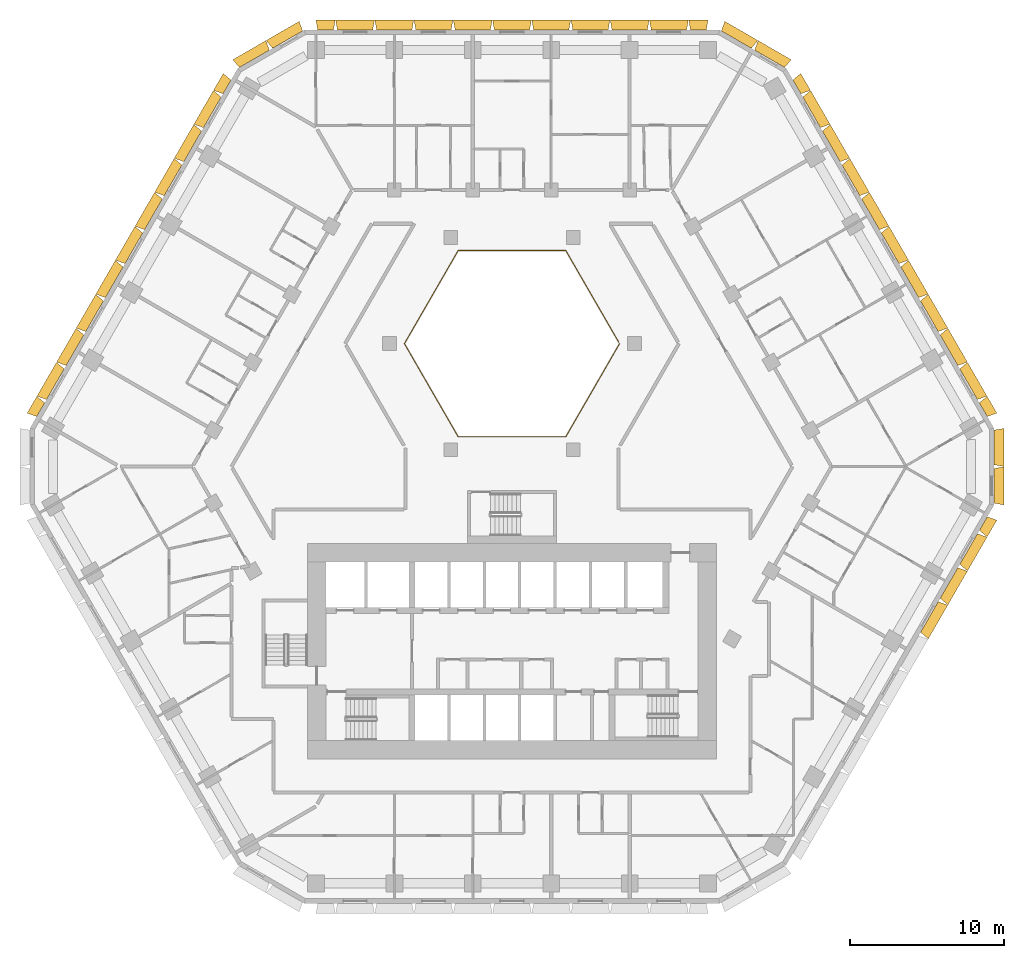
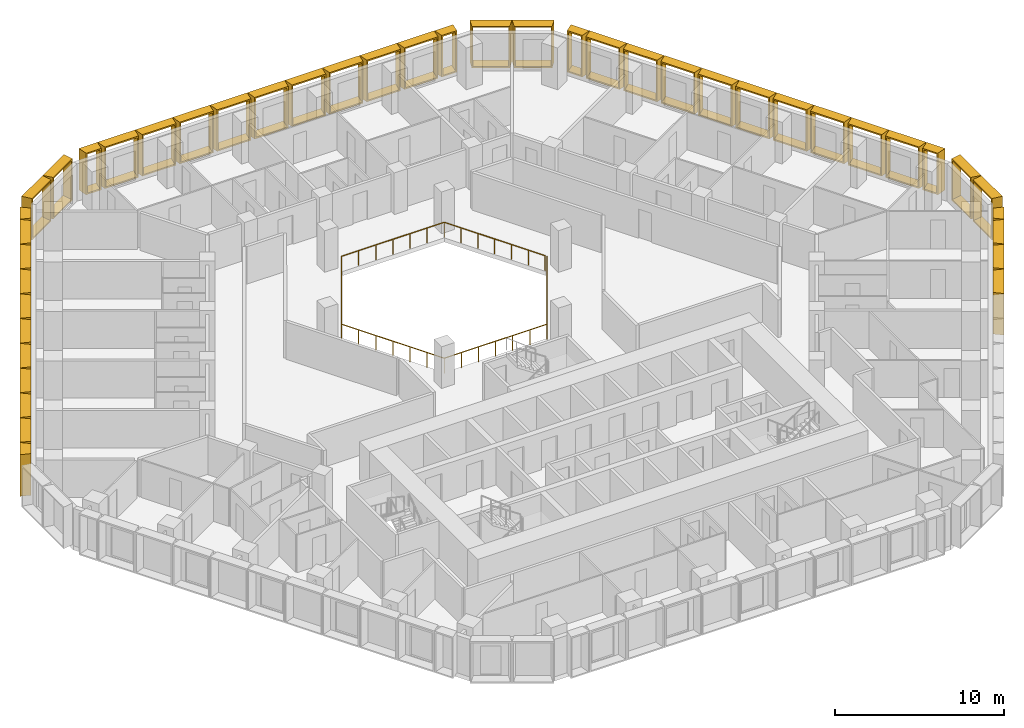
# One storey, part 16 of 16: 43 shading devices, 1 railing.
"""IFC4 building model written with IfcOpenShell, lengths in metres."""

from ifc_helpers import new_model, entity, si_unit, direction, frame, origin, origin_2d, place, context, subcontext, project, spatial, rectangle, extrude, source, transform, mapped, material, type_object, type_shapes, element, save


model = new_model("IFC4")

# Units and contexts
model_context = context("Model", 3, precision=1e-05, world=origin(), true_north=direction((0.0, 1.0)))
body_context = subcontext(model_context, "Body", "Model", "MODEL_VIEW")
ifc_project = project(units=[si_unit("LENGTHUNIT", "METRE"), si_unit("AREAUNIT", "SQUARE_METRE"), si_unit("VOLUMEUNIT", "CUBIC_METRE"), si_unit("PLANEANGLEUNIT", "RADIAN"), si_unit("MASSUNIT", "GRAM", prefix="KILO")], contexts=[model_context])

# Site, building, storey
site_placement = place(None, origin())
site = spatial("IfcSite", under=ifc_project, at=site_placement, CompositionType="ELEMENT")
building_placement = place(site_placement, origin())
building = spatial("IfcBuilding", under=site, at=building_placement, Name="Beryl Residences", CompositionType="ELEMENT")
storey_placement = place(building_placement, frame((0.0, 0.0, 32.39990234375)))
storey = spatial("IfcBuildingStorey", under=building, at=storey_placement, Name="L09", CompositionType="ELEMENT", Elevation=32.39990234375)

# Railing
ifc_material_1 = material(Name="Stainless steel balustrade with glass infill", Category="steel")
railing_type = type_object("IfcRailingType", Name="EG1 edge guard 1100 mm", PredefinedType="GUARDRAIL", material=ifc_material_1)
railing_placement = place(storey_placement, frame((6.9970703125, 8.0, 0.0)))
element("IfcRailing", 1, at=railing_placement, inside=storey, type_object=railing_type, Name="L09 atrium guard", PredefinedType="GUARDRAIL", context=body_context, shape_type="SweptSolid", body=[
    extrude(rectangle(XDim=0.048095703125, YDim=0.048095703125, at=origin_2d()), frame((0.0, 0.0, 1.076171875), z_axis=(-0.499921796684, -0.866070549782, 0.0), x_axis=(0.866070549782, -0.499921796684, 0.0)), (0.0, 0.0, 1.0), 6.9970703125),
    extrude(rectangle(XDim=0.048095703125, YDim=0.048095703125, at=origin_2d()), frame((-3.498046875, -6.06005859375, 1.076171875), z_axis=(-1.0, 0.0, 0.0), x_axis=(0.0, -1.0, 0.0)), (0.0, 0.0, 1.0), 6.998046875),
    extrude(rectangle(XDim=0.048095703125, YDim=0.048095703125, at=origin_2d()), frame((-10.49609375, -6.06005859375, 1.076171875), z_axis=(-0.499921796684, 0.866070549782, 0.0), x_axis=(-0.866070549782, -0.499921796684, 0.0)), (0.0, 0.0, 1.0), 6.9970703125),
    extrude(rectangle(XDim=0.048095703125, YDim=0.048095703125, at=origin_2d()), frame((-13.994140625, 0.0, 1.076171875), z_axis=(0.499921796684, 0.866070549782, 0.0), x_axis=(-0.866070549782, 0.499921796684, 0.0)), (0.0, 0.0, 1.0), 6.9970703125),
    extrude(rectangle(XDim=0.048095703125, YDim=0.048095703125, at=origin_2d()), frame((-10.49609375, 6.06005859375, 1.076171875), z_axis=(1.0, 0.0, 0.0), x_axis=(0.0, 1.0, 0.0)), (0.0, 0.0, 1.0), 6.998046875),
    extrude(rectangle(XDim=0.048095703125, YDim=0.048095703125, at=origin_2d()), frame((-3.498046875, 6.06005859375, 1.076171875), z_axis=(0.499919131929, -0.866072087953, 0.0), x_axis=(0.866072087953, 0.499919131929, 0.0)), (0.0, 0.0, 1.0), 6.877197265625),
    extrude(rectangle(XDim=0.0419921875, YDim=0.0419921875, at=origin_2d()), origin(), (0.0, 0.0, 1.0), 1.052001953125),
    extrude(rectangle(XDim=0.0419921875, YDim=0.0419921875, at=origin_2d()), frame((-0.5830078125, -1.010009765625, 0.0)), (0.0, 0.0, 1.0), 1.052001953125),
    extrude(rectangle(XDim=0.0419921875, YDim=0.0419921875, at=origin_2d()), frame((-1.166015625, -2.02001953125, 0.0)), (0.0, 0.0, 1.0), 1.052001953125),
    extrude(rectangle(XDim=0.0419921875, YDim=0.0419921875, at=origin_2d()), frame((-1.7490234375, -3.030029296875, 0.0)), (0.0, 0.0, 1.0), 1.052001953125),
    extrude(rectangle(XDim=0.0419921875, YDim=0.0419921875, at=origin_2d()), frame((-2.33203125, -4.0400390625, 0.0)), (0.0, 0.0, 1.0), 1.052001953125),
    extrude(rectangle(XDim=0.0419921875, YDim=0.0419921875, at=origin_2d()), frame((-2.9150390625, -5.050048828125, 0.0)), (0.0, 0.0, 1.0), 1.052001953125),
    extrude(rectangle(XDim=0.0419921875, YDim=0.0419921875, at=origin_2d()), frame((-3.498046875, -6.06005859375, 0.0)), (0.0, 0.0, 1.0), 1.052001953125),
    extrude(rectangle(XDim=0.0419921875, YDim=0.0419921875, at=origin_2d()), frame((-4.664306640625, -6.06005859375, 0.0)), (0.0, 0.0, 1.0), 1.052001953125),
    extrude(rectangle(XDim=0.0419921875, YDim=0.0419921875, at=origin_2d()), frame((-5.830810546875, -6.06005859375, 0.0)), (0.0, 0.0, 1.0), 1.052001953125),
    extrude(rectangle(XDim=0.0419921875, YDim=0.0419921875, at=origin_2d()), frame((-6.9970703125, -6.06005859375, 0.0)), (0.0, 0.0, 1.0), 1.052001953125),
    extrude(rectangle(XDim=0.0419921875, YDim=0.0419921875, at=origin_2d()), frame((-8.163330078125, -6.06005859375, 0.0)), (0.0, 0.0, 1.0), 1.052001953125),
    extrude(rectangle(XDim=0.0419921875, YDim=0.0419921875, at=origin_2d()), frame((-9.329833984375, -6.06005859375, 0.0)), (0.0, 0.0, 1.0), 1.052001953125),
    extrude(rectangle(XDim=0.0419921875, YDim=0.0419921875, at=origin_2d()), frame((-10.49609375, -6.06005859375, 0.0)), (0.0, 0.0, 1.0), 1.052001953125),
    extrude(rectangle(XDim=0.0419921875, YDim=0.0419921875, at=origin_2d()), frame((-11.0791015625, -5.050048828125, 0.0)), (0.0, 0.0, 1.0), 1.052001953125),
    extrude(rectangle(XDim=0.0419921875, YDim=0.0419921875, at=origin_2d()), frame((-11.662109375, -4.0400390625, 0.0)), (0.0, 0.0, 1.0), 1.052001953125),
    extrude(rectangle(XDim=0.0419921875, YDim=0.0419921875, at=origin_2d()), frame((-12.2451171875, -3.030029296875, 0.0)), (0.0, 0.0, 1.0), 1.052001953125),
    extrude(rectangle(XDim=0.0419921875, YDim=0.0419921875, at=origin_2d()), frame((-12.828125, -2.02001953125, 0.0)), (0.0, 0.0, 1.0), 1.052001953125),
    extrude(rectangle(XDim=0.0419921875, YDim=0.0419921875, at=origin_2d()), frame((-13.4111328125, -1.010009765625, 0.0)), (0.0, 0.0, 1.0), 1.052001953125),
    extrude(rectangle(XDim=0.0419921875, YDim=0.0419921875, at=origin_2d()), frame((-13.994140625, 0.0, 0.0)), (0.0, 0.0, 1.0), 1.052001953125),
    extrude(rectangle(XDim=0.0419921875, YDim=0.0419921875, at=origin_2d()), frame((-13.4111328125, 1.010009765625, 0.0)), (0.0, 0.0, 1.0), 1.052001953125),
    extrude(rectangle(XDim=0.0419921875, YDim=0.0419921875, at=origin_2d()), frame((-12.828125, 2.02001953125, 0.0)), (0.0, 0.0, 1.0), 1.052001953125),
    extrude(rectangle(XDim=0.0419921875, YDim=0.0419921875, at=origin_2d()), frame((-12.2451171875, 3.030029296875, 0.0)), (0.0, 0.0, 1.0), 1.052001953125),
    extrude(rectangle(XDim=0.0419921875, YDim=0.0419921875, at=origin_2d()), frame((-11.662109375, 4.0400390625, 0.0)), (0.0, 0.0, 1.0), 1.052001953125),
    extrude(rectangle(XDim=0.0419921875, YDim=0.0419921875, at=origin_2d()), frame((-11.0791015625, 5.050048828125, 0.0)), (0.0, 0.0, 1.0), 1.052001953125),
    extrude(rectangle(XDim=0.0419921875, YDim=0.0419921875, at=origin_2d()), frame((-10.49609375, 6.06005859375, 0.0)), (0.0, 0.0, 1.0), 1.052001953125),
    extrude(rectangle(XDim=0.0419921875, YDim=0.0419921875, at=origin_2d()), frame((-9.329833984375, 6.06005859375, 0.0)), (0.0, 0.0, 1.0), 1.052001953125),
    extrude(rectangle(XDim=0.0419921875, YDim=0.0419921875, at=origin_2d()), frame((-8.163330078125, 6.06005859375, 0.0)), (0.0, 0.0, 1.0), 1.052001953125),
    extrude(rectangle(XDim=0.0419921875, YDim=0.0419921875, at=origin_2d()), frame((-6.9970703125, 6.06005859375, 0.0)), (0.0, 0.0, 1.0), 1.052001953125),
    extrude(rectangle(XDim=0.0419921875, YDim=0.0419921875, at=origin_2d()), frame((-5.830810546875, 6.06005859375, 0.0)), (0.0, 0.0, 1.0), 1.052001953125),
    extrude(rectangle(XDim=0.0419921875, YDim=0.0419921875, at=origin_2d()), frame((-4.664306640625, 6.06005859375, 0.0)), (0.0, 0.0, 1.0), 1.052001953125),
    extrude(rectangle(XDim=0.0419921875, YDim=0.0419921875, at=origin_2d()), frame((-3.498046875, 6.06005859375, 0.0)), (0.0, 0.0, 1.0), 1.052001953125),
    extrude(rectangle(XDim=0.0419921875, YDim=0.0419921875, at=origin_2d()), frame((-2.925048828125, 5.0673828125, 0.0)), (0.0, 0.0, 1.0), 1.052001953125),
    extrude(rectangle(XDim=0.0419921875, YDim=0.0419921875, at=origin_2d()), frame((-2.35205078125, 4.07470703125, 0.0)), (0.0, 0.0, 1.0), 1.052001953125),
    extrude(rectangle(XDim=0.0419921875, YDim=0.0419921875, at=origin_2d()), frame((-1.779052734375, 3.08203125, 0.0)), (0.0, 0.0, 1.0), 1.052001953125),
    extrude(rectangle(XDim=0.0419921875, YDim=0.0419921875, at=origin_2d()), frame((-1.2060546875, 2.08935546875, 0.0)), (0.0, 0.0, 1.0), 1.052001953125),
    extrude(rectangle(XDim=0.0419921875, YDim=0.0419921875, at=origin_2d()), frame((-0.633056640625, 1.0966796875, 0.0)), (0.0, 0.0, 1.0), 1.052001953125),
    extrude(rectangle(XDim=0.0419921875, YDim=0.0419921875, at=origin_2d()), frame((-0.06005859375, 0.10400390625, 0.0)), (0.0, 0.0, 1.0), 1.052001953125),
])

# Shading devices
ifc_material_2 = material(Name="Aluminium pale anodised", Category="aluminium")
shading_device_type_1 = type_object("IfcShadingDeviceType", Name="FR128-65A OUTER SKIN frame 650 mm deep, splay 10/10 deg, 1280 x 3000 mm cell", PredefinedType="USERDEFINED", material=ifc_material_2)
cartesian_point_1 = entity("IfcCartesianPoint", [-0.514892578125, 0.0])
cartesian_point_2 = entity("IfcCartesianPoint", [-0.433837890625, 0.10009765625])
cartesian_point_3 = entity("IfcCartesianPoint", [-0.629638671875, 0.0])
cartesian_point_4 = entity("IfcCartesianPoint", [-0.54833984375, 0.10009765625])
shared_shape_1 = source(origin(), body_context, "Body", "SweptSolid", [
    entity("IfcExtrudedAreaSolidTapered", entity("IfcArbitraryProfileDefWithVoids", "AREA", None, entity("IfcPolyline", [cartesian_point_1, entity("IfcCartesianPoint", [0.514892578125, 0.0]), entity("IfcCartesianPoint", [0.514892578125, 3.0]), entity("IfcCartesianPoint", [-0.514892578125, 3.0]), cartesian_point_1]), [entity("IfcPolyline", [cartesian_point_2, entity("IfcCartesianPoint", [0.433837890625, 0.10009765625]), entity("IfcCartesianPoint", [0.433837890625, 2.89990234375]), entity("IfcCartesianPoint", [-0.433837890625, 2.89990234375]), cartesian_point_2])]), entity("IfcAxis2Placement3D", entity("IfcCartesianPoint", [0.0, 0.0, 0.0]), entity("IfcDirection", [0.0, 1.0, 0.0]), entity("IfcDirection", [-1.0, 0.0, 0.0])), entity("IfcDirection", [0.0, 0.0, 1.0]), 0.64990234375, entity("IfcArbitraryProfileDefWithVoids", "AREA", None, entity("IfcPolyline", [cartesian_point_3, entity("IfcCartesianPoint", [0.629638671875, 0.0]), entity("IfcCartesianPoint", [0.629638671875, 3.0]), entity("IfcCartesianPoint", [-0.629638671875, 3.0]), cartesian_point_3]), [entity("IfcPolyline", [cartesian_point_4, entity("IfcCartesianPoint", [0.54833984375, 0.10009765625]), entity("IfcCartesianPoint", [0.54833984375, 2.89990234375]), entity("IfcCartesianPoint", [-0.54833984375, 2.89990234375]), cartesian_point_4])])),
])
type_shapes(shading_device_type_1, [shared_shape_1])
for number, where, z_axis, x_axis, name in (
    (2, (12.12109375, 28.39990234375, 0.0), (0.0, 0.0, 1.0), (1.0, 0.0, 0.0), "FR128-65A frame L09 N 1"),
    (3, (-12.123046875, 28.39990234375, 0.0), (0.0, 0.0, 1.0), (1.0, 0.0, 0.0), "FR128-65A frame L09 N 11"),
    (4, (-18.534912109375, 24.697021484375, 0.0), (0.0, 0.0, 1.0), (0.5, 0.866025403784, 0.0), "FR128-65A frame L09 NW 1"),
    (5, (-30.656005859375, 3.700927734375, 0.0), (0.0, 0.0, 1.0), (0.5, 0.866025403784, 0.0), "FR128-65A frame L09 NW 11"),
    (6, (30.656005859375, -3.700927734375, 0.0), (0.0, 0.0, 1.0), (-0.5, -0.866025403784, 0.0), "FR128-65A frame L09 SE 11"),
    (7, (30.655029296875, 3.702880859375, 0.0), (0.0, 0.0, 1.0), (0.5, -0.866025403784, 0.0), "FR128-65A frame L09 NE 1"),
    (8, (18.533935546875, 24.698974609375, 0.0), (0.0, 0.0, 1.0), (0.5, -0.866025403784, 0.0), "FR128-65A frame L09 NE 11"),
):
    element("IfcShadingDevice", number, at=place(storey_placement, frame(where, z_axis=z_axis, x_axis=x_axis)), inside=storey, type_object=shading_device_type_1, Name=name, ObjectType="OUTER SKIN", PredefinedType="USERDEFINED", context=body_context, shape_type="MappedRepresentation", body=[
        mapped(shared_shape_1, transform((0.0, 0.0, 0.0))),
    ])
ifc_material_3 = material(Name="Aluminium pale anodised", Category="aluminium")
shading_device_type_2 = type_object("IfcShadingDeviceType", Name="FR250-65A OUTER SKIN frame 650 mm deep, splay 10/10 deg, 2500 x 3000 mm cell", PredefinedType="USERDEFINED", material=ifc_material_3)
cartesian_point_5 = entity("IfcCartesianPoint", [-1.125, 0.0])
cartesian_point_6 = entity("IfcCartesianPoint", [-1.043701171875, 0.10009765625])
cartesian_point_7 = entity("IfcCartesianPoint", [-1.239501953125, 0.0])
cartesian_point_8 = entity("IfcCartesianPoint", [-1.158447265625, 0.10009765625])
shared_shape_2 = source(origin(), body_context, "Body", "SweptSolid", [
    entity("IfcExtrudedAreaSolidTapered", entity("IfcArbitraryProfileDefWithVoids", "AREA", None, entity("IfcPolyline", [cartesian_point_5, entity("IfcCartesianPoint", [1.125, 0.0]), entity("IfcCartesianPoint", [1.125, 3.0]), entity("IfcCartesianPoint", [-1.125, 3.0]), cartesian_point_5]), [entity("IfcPolyline", [cartesian_point_6, entity("IfcCartesianPoint", [1.043701171875, 0.10009765625]), entity("IfcCartesianPoint", [1.043701171875, 2.89990234375]), entity("IfcCartesianPoint", [-1.043701171875, 2.89990234375]), cartesian_point_6])]), entity("IfcAxis2Placement3D", entity("IfcCartesianPoint", [0.0, 0.0, 0.0]), entity("IfcDirection", [0.0, 1.0, 0.0]), entity("IfcDirection", [-1.0, 0.0, 0.0])), entity("IfcDirection", [0.0, 0.0, 1.0]), 0.64990234375, entity("IfcArbitraryProfileDefWithVoids", "AREA", None, entity("IfcPolyline", [cartesian_point_7, entity("IfcCartesianPoint", [1.239501953125, 0.0]), entity("IfcCartesianPoint", [1.239501953125, 3.0]), entity("IfcCartesianPoint", [-1.239501953125, 3.0]), cartesian_point_7]), [entity("IfcPolyline", [cartesian_point_8, entity("IfcCartesianPoint", [1.158447265625, 0.10009765625]), entity("IfcCartesianPoint", [1.158447265625, 2.89990234375]), entity("IfcCartesianPoint", [-1.158447265625, 2.89990234375]), cartesian_point_8])])),
])
type_shapes(shading_device_type_2, [shared_shape_2])
for number, where, z_axis, x_axis, name in (
    (9, (-14.593017578125, 27.77490234375, 0.0), (0.0, 0.0, 1.0), (0.866025403784, 0.5, 0.0), "FR250-65A frame L09 N-NW 1"),
    (10, (-16.758056640625, 26.52490234375, 0.0), (0.0, 0.0, 1.0), (0.866025403784, 0.5, 0.0), "FR250-65A frame L09 N-NW 2"),
    (11, (31.35009765625, -1.25, 0.0), (0.0, 0.0, 1.0), (0.0, -1.0, 0.0), "FR250-65A frame L09 SE-NE 1"),
    (12, (31.35009765625, 1.25, 0.0), (0.0, 0.0, 1.0), (0.0, -1.0, 0.0), "FR250-65A frame L09 SE-NE 2"),
    (13, (16.758056640625, 26.52490234375, 0.0), (0.0, 0.0, 1.0), (0.866025403784, -0.5, 0.0), "FR250-65A frame L09 NE-N 1"),
    (14, (14.593017578125, 27.77490234375, 0.0), (0.0, 0.0, 1.0), (0.866025403784, -0.5, 0.0), "FR250-65A frame L09 NE-N 2"),
):
    element("IfcShadingDevice", number, at=place(storey_placement, frame(where, z_axis=z_axis, x_axis=x_axis)), inside=storey, type_object=shading_device_type_2, Name=name, ObjectType="OUTER SKIN", PredefinedType="USERDEFINED", context=body_context, shape_type="MappedRepresentation", body=[
        mapped(shared_shape_2, transform((0.0, 0.0, 0.0))),
    ])
ifc_material_4 = material(Name="Aluminium pale anodised", Category="aluminium")
shading_device_type_3 = type_object("IfcShadingDeviceType", Name="FR255-65A OUTER SKIN frame 650 mm deep, splay 10/10 deg, 2550 x 3000 mm cell", PredefinedType="USERDEFINED", material=ifc_material_4)
cartesian_point_9 = entity("IfcCartesianPoint", [-1.14990234375, 0.0])
cartesian_point_10 = entity("IfcCartesianPoint", [-1.06884765625, 0.10009765625])
cartesian_point_11 = entity("IfcCartesianPoint", [-1.2646484375, 0.0])
cartesian_point_12 = entity("IfcCartesianPoint", [-1.183349609375, 0.10009765625])
shared_shape_3 = source(origin(), body_context, "Body", "SweptSolid", [
    entity("IfcExtrudedAreaSolidTapered", entity("IfcArbitraryProfileDefWithVoids", "AREA", None, entity("IfcPolyline", [cartesian_point_9, entity("IfcCartesianPoint", [1.14990234375, 0.0]), entity("IfcCartesianPoint", [1.14990234375, 3.0]), entity("IfcCartesianPoint", [-1.14990234375, 3.0]), cartesian_point_9]), [entity("IfcPolyline", [cartesian_point_10, entity("IfcCartesianPoint", [1.06884765625, 0.10009765625]), entity("IfcCartesianPoint", [1.06884765625, 2.89990234375]), entity("IfcCartesianPoint", [-1.06884765625, 2.89990234375]), cartesian_point_10])]), entity("IfcAxis2Placement3D", entity("IfcCartesianPoint", [0.0, 0.0, 0.0]), entity("IfcDirection", [0.0, 1.0, 0.0]), entity("IfcDirection", [-1.0, 0.0, 0.0])), entity("IfcDirection", [0.0, 0.0, 1.0]), 0.64990234375, entity("IfcArbitraryProfileDefWithVoids", "AREA", None, entity("IfcPolyline", [cartesian_point_11, entity("IfcCartesianPoint", [1.2646484375, 0.0]), entity("IfcCartesianPoint", [1.2646484375, 3.0]), entity("IfcCartesianPoint", [-1.2646484375, 3.0]), cartesian_point_11]), [entity("IfcPolyline", [cartesian_point_12, entity("IfcCartesianPoint", [1.183349609375, 0.10009765625]), entity("IfcCartesianPoint", [1.183349609375, 2.89990234375]), entity("IfcCartesianPoint", [-1.183349609375, 2.89990234375]), cartesian_point_12])])),
])
type_shapes(shading_device_type_3, [shared_shape_3])
for number, where, z_axis, x_axis, name in (
    (15, (10.20703125, 28.39990234375, 0.0), (0.0, 0.0, 1.0), (1.0, 0.0, 0.0), "FR255-65A frame L09 N 2"),
    (16, (7.655029296875, 28.39990234375, 0.0), (0.0, 0.0, 1.0), (1.0, 0.0, 0.0), "FR255-65A frame L09 N 3"),
    (17, (5.10302734375, 28.39990234375, 0.0), (0.0, 0.0, 1.0), (1.0, 0.0, 0.0), "FR255-65A frame L09 N 4"),
    (18, (2.551025390625, 28.39990234375, 0.0), (0.0, 0.0, 1.0), (1.0, 0.0, 0.0), "FR255-65A frame L09 N 5"),
    (19, (-0.0009765625, 28.39990234375, 0.0), (0.0, 0.0, 1.0), (1.0, 0.0, 0.0), "FR255-65A frame L09 N 6"),
    (20, (-2.552978515625, 28.39990234375, 0.0), (0.0, 0.0, 1.0), (1.0, 0.0, 0.0), "FR255-65A frame L09 N 7"),
    (21, (-5.10498046875, 28.39990234375, 0.0), (0.0, 0.0, 1.0), (1.0, 0.0, 0.0), "FR255-65A frame L09 N 8"),
    (22, (-7.656982421875, 28.39990234375, 0.0), (0.0, 0.0, 1.0), (1.0, 0.0, 0.0), "FR255-65A frame L09 N 9"),
    (23, (-10.208984375, 28.39990234375, 0.0), (0.0, 0.0, 1.0), (1.0, 0.0, 0.0), "FR255-65A frame L09 N 10"),
    (24, (-19.491943359375, 23.0400390625, 0.0), (0.0, 0.0, 1.0), (0.5, 0.866025403784, 0.0), "FR255-65A frame L09 NW 2"),
    (25, (-20.76806640625, 20.830078125, 0.0), (0.0, 0.0, 1.0), (0.5, 0.866025403784, 0.0), "FR255-65A frame L09 NW 3"),
    (26, (-22.0439453125, 18.618896484375, 0.0), (0.0, 0.0, 1.0), (0.5, 0.866025403784, 0.0), "FR255-65A frame L09 NW 4"),
    (27, (-23.320068359375, 16.408935546875, 0.0), (0.0, 0.0, 1.0), (0.5, 0.866025403784, 0.0), "FR255-65A frame L09 NW 5"),
    (28, (-24.594970703125, 14.198974609375, 0.0), (0.0, 0.0, 1.0), (0.5, 0.866025403784, 0.0), "FR255-65A frame L09 NW 6"),
    (29, (-25.87109375, 11.989013671875, 0.0), (0.0, 0.0, 1.0), (0.5, 0.866025403784, 0.0), "FR255-65A frame L09 NW 7"),
    (30, (-27.14697265625, 9.779052734375, 0.0), (0.0, 0.0, 1.0), (0.5, 0.866025403784, 0.0), "FR255-65A frame L09 NW 8"),
    (31, (-28.423095703125, 7.569091796875, 0.0), (0.0, 0.0, 1.0), (0.5, 0.866025403784, 0.0), "FR255-65A frame L09 NW 9"),
    (32, (-29.698974609375, 5.35888671875, 0.0), (0.0, 0.0, 1.0), (0.5, 0.866025403784, 0.0), "FR255-65A frame L09 NW 10"),
    (33, (27.14697265625, -9.779052734375, 0.0), (0.0, 0.0, 1.0), (-0.5, -0.866025403784, 0.0), "FR255-65A frame L09 SE 8"),
    (34, (28.423095703125, -7.569091796875, 0.0), (0.0, 0.0, 1.0), (-0.5, -0.866025403784, 0.0), "FR255-65A frame L09 SE 9"),
    (35, (29.698974609375, -5.35888671875, 0.0), (0.0, 0.0, 1.0), (-0.5, -0.866025403784, 0.0), "FR255-65A frame L09 SE 10"),
    (36, (29.697998046875, 5.360107421875, 0.0), (0.0, 0.0, 1.0), (0.5, -0.866025403784, 0.0), "FR255-65A frame L09 NE 2"),
    (37, (28.422119140625, 7.570068359375, 0.0), (0.0, 0.0, 1.0), (0.5, -0.866025403784, 0.0), "FR255-65A frame L09 NE 3"),
    (38, (27.14599609375, 9.781005859375, 0.0), (0.0, 0.0, 1.0), (0.5, -0.866025403784, 0.0), "FR255-65A frame L09 NE 4"),
    (39, (25.8701171875, 11.990966796875, 0.0), (0.0, 0.0, 1.0), (0.5, -0.866025403784, 0.0), "FR255-65A frame L09 NE 5"),
    (40, (24.594970703125, 14.200927734375, 0.0), (0.0, 0.0, 1.0), (0.5, -0.866025403784, 0.0), "FR255-65A frame L09 NE 6"),
    (41, (23.319091796875, 16.410888671875, 0.0), (0.0, 0.0, 1.0), (0.5, -0.866025403784, 0.0), "FR255-65A frame L09 NE 7"),
    (42, (22.04296875, 18.62109375, 0.0), (0.0, 0.0, 1.0), (0.5, -0.866025403784, 0.0), "FR255-65A frame L09 NE 8"),
    (43, (20.76708984375, 20.8310546875, 0.0), (0.0, 0.0, 1.0), (0.5, -0.866025403784, 0.0), "FR255-65A frame L09 NE 9"),
    (44, (19.490966796875, 23.041015625, 0.0), (0.0, 0.0, 1.0), (0.5, -0.866025403784, 0.0), "FR255-65A frame L09 NE 10"),
):
    element("IfcShadingDevice", number, at=place(storey_placement, frame(where, z_axis=z_axis, x_axis=x_axis)), inside=storey, type_object=shading_device_type_3, Name=name, ObjectType="OUTER SKIN", PredefinedType="USERDEFINED", context=body_context, shape_type="MappedRepresentation", body=[
        mapped(shared_shape_3, transform((0.0, 0.0, 0.0))),
    ])

save(model, "model.ifc")
